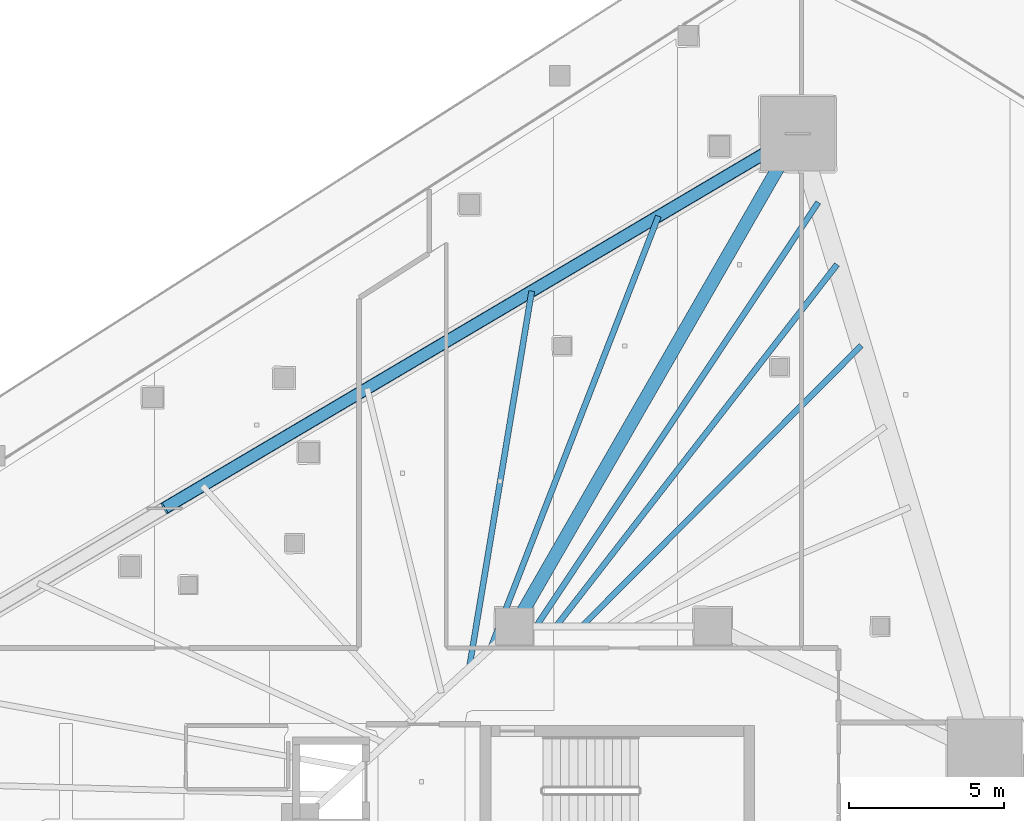
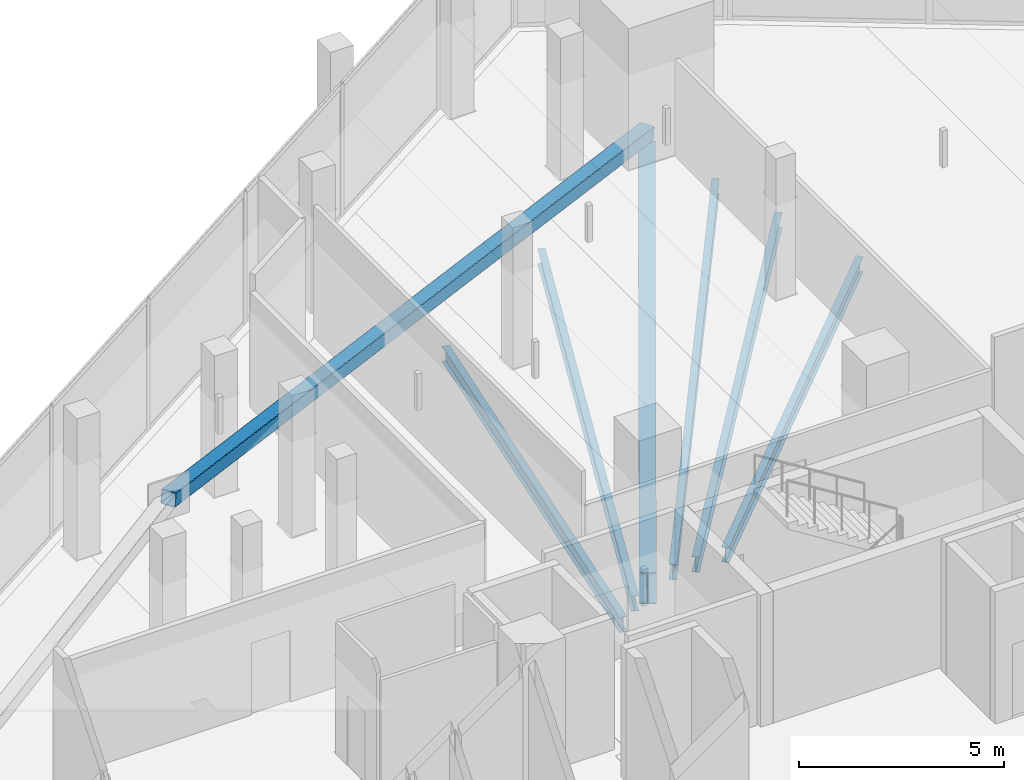
# One storey, part 25 of 52: 6 beams, 1 member.
"""IFC4 building model written with IfcOpenShell, lengths in metres."""

from ifc_helpers import new_model, si_unit, direction, frame, origin, origin_2d, place, context, subcontext, project, spatial, hollow_rectangle, i_section, extrude, material, material_profile, profile_set, type_object, element, save


model = new_model("IFC4")

# Units and contexts
model_context = context("Model", 3, precision=1e-05, world=origin(), true_north=direction((0.0, 1.0)))
body_context = subcontext(model_context, "Body", "Model", "MODEL_VIEW")
ifc_project = project(units=[si_unit("LENGTHUNIT", "METRE"), si_unit("AREAUNIT", "SQUARE_METRE"), si_unit("VOLUMEUNIT", "CUBIC_METRE"), si_unit("PLANEANGLEUNIT", "RADIAN"), si_unit("MASSUNIT", "GRAM", prefix="KILO")], contexts=[model_context])

# Site, building, storey
site_placement = place(None, origin())
site = spatial("IfcSite", under=ifc_project, at=site_placement, CompositionType="ELEMENT")
building_placement = place(site_placement, origin())
building = spatial("IfcBuilding", under=site, at=building_placement, Name="Qorvath Tower", CompositionType="ELEMENT")
storey_placement = place(building_placement, frame((0.0, 0.0, 61.800048828125)))
storey = spatial("IfcBuildingStorey", under=building, at=storey_placement, Name="L13", CompositionType="ELEMENT", Elevation=61.800048828125)

# Beams
ifc_material_1 = material(Name="Steel ASTM A992 Grade 50", Category="steel")
ifc_material_profile_1 = material_profile(ifc_material_1, i_section(OverallWidth=0.422119140625, OverallDepth=0.93310546875, WebThickness=0.021240234375, FlangeThickness=0.039794921875, FilletRadius=0.02392578125, at=origin_2d()), Name="W36x262")
ifc_profile_set_1 = profile_set([ifc_material_profile_1], Name="Steel ASTM A992 Grade 50")
beam_type_1 = type_object("IfcBeamType", Name="BM-FG1", PredefinedType="BEAM", material=ifc_profile_set_1)
beam_1_placement = place(storey_placement, frame((-23.60009765625, 11.449951171875, -0.74658203125), z_axis=(0.498645367714, 0.866806089767, 0.0), x_axis=(-0.866806089767, 0.498645367714, 0.0)))
element("IfcBeam", 1, at=beam_1_placement, inside=storey, type_object=beam_type_1, Name="Radial Floor Girder CC1-MC6 L13", PredefinedType="BEAM", context=body_context, shape_type="SweptSolid", body=[
    extrude(i_section(OverallWidth=0.422119140625, OverallDepth=0.93310546875, WebThickness=0.021240234375, FlangeThickness=0.039794921875, FilletRadius=0.02392578125, at=origin_2d()), origin(), (0.0, 0.0, 1.0), 18.321044921875),
])
ifc_material_2 = material(Name="Steel ASTM A992 Grade 50", Category="steel")
ifc_material_profile_2 = material_profile(ifc_material_2, i_section(OverallWidth=0.18994140625, OverallDepth=0.45703125, WebThickness=0.009033203125, FlangeThickness=0.014404296875, FilletRadius=0.011962890625, at=origin_2d()), Name="W18x50")
ifc_profile_set_2 = profile_set([ifc_material_profile_2], Name="Steel ASTM A992 Grade 50")
beam_type_2 = type_object("IfcBeamType", Name="BM-FJ2", PredefinedType="JOIST", material=ifc_profile_set_2)
beam_2_placement = place(storey_placement, frame((-21.424072265625, 11.449951171875, -0.508544921875), z_axis=(0.705107654599, 0.709100271771, 0.0), x_axis=(-0.709100271771, 0.705107654599, 0.0)))
element("IfcBeam", 2, at=beam_2_placement, inside=storey, type_object=beam_type_2, Name="Composite Floor Joist NE5 L13", PredefinedType="JOIST", context=body_context, shape_type="SweptSolid", body=[
    extrude(i_section(OverallWidth=0.18994140625, OverallDepth=0.45703125, WebThickness=0.009033203125, FlangeThickness=0.014404296875, FilletRadius=0.011962890625, at=origin_2d()), origin(), (0.0, 0.0, 1.0), 12.780029296875),
])
beam_3_placement = place(storey_placement, frame((-22.256103515625, 11.449951171875, -0.508544921875), z_axis=(0.613206963859, 0.789922286984, 0.0), x_axis=(-0.789922286984, 0.613206963859, 0.0)))
element("IfcBeam", 3, at=beam_3_placement, inside=storey, type_object=beam_type_2, Name="Composite Floor Joist NE6 L13", PredefinedType="JOIST", context=body_context, shape_type="SweptSolid", body=[
    extrude(i_section(OverallWidth=0.18994140625, OverallDepth=0.45703125, WebThickness=0.009033203125, FlangeThickness=0.014404296875, FilletRadius=0.011962890625, at=origin_2d()), origin(), (0.0, 0.0, 1.0), 14.77294921875),
])
beam_4_placement = place(storey_placement, frame((-22.89599609375, 11.449951171875, -0.508544921875), z_axis=(0.553811384989, 0.83264214994, 0.0), x_axis=(-0.83264214994, 0.553811384989, 0.0)))
element("IfcBeam", 4, at=beam_4_placement, inside=storey, type_object=beam_type_2, Name="Composite Floor Joist NE7 L13", PredefinedType="JOIST", context=body_context, shape_type="SweptSolid", body=[
    extrude(i_section(OverallWidth=0.18994140625, OverallDepth=0.45703125, WebThickness=0.009033203125, FlangeThickness=0.014404296875, FilletRadius=0.011962890625, at=origin_2d()), origin(), (0.0, 0.0, 1.0), 16.42333984375),
])
beam_5_placement = place(storey_placement, frame((-25.049072265625, 10.126953125, -0.508544921875), z_axis=(0.163639384475, 0.98652022374, 0.0), x_axis=(-0.98652022374, 0.163639384475, 0.0)))
element("IfcBeam", 5, at=beam_5_placement, inside=storey, type_object=beam_type_2, Name="Composite Floor Joist NW6 L13", PredefinedType="JOIST", context=body_context, shape_type="SweptSolid", body=[
    extrude(i_section(OverallWidth=0.18994140625, OverallDepth=0.45703125, WebThickness=0.009033203125, FlangeThickness=0.014404296875, FilletRadius=0.011962890625, at=origin_2d()), origin(), (0.0, 0.0, 1.0), 12.301025390625),
])
beam_6_placement = place(storey_placement, frame((-24.35888671875, 10.757080078125, -0.508544921875), z_axis=(0.361964096586, 0.93219203643, 0.0), x_axis=(-0.93219203643, 0.361964096586, 0.0)))
element("IfcBeam", 6, at=beam_6_placement, inside=storey, type_object=beam_type_2, Name="Composite Floor Joist NW7 L13", PredefinedType="JOIST", context=body_context, shape_type="SweptSolid", body=[
    extrude(i_section(OverallWidth=0.18994140625, OverallDepth=0.45703125, WebThickness=0.009033203125, FlangeThickness=0.014404296875, FilletRadius=0.011962890625, at=origin_2d()), origin(), (0.0, 0.0, 1.0), 14.93115234375),
])

# Member
ifc_material_3 = material(Name="Steel ASTM A500 Grade C", Category="steel")
ifc_material_profile_3 = material_profile(ifc_material_3, hollow_rectangle(XDim=0.406494140625, YDim=0.406494140625, WallThickness=0.015869140625, InnerFilletRadius=0.015869140625, OuterFilletRadius=0.03173828125, at=origin_2d()), Name="HSS 406x406x16")
ifc_profile_set_3 = profile_set([ifc_material_profile_3], Name="Steel ASTM A500 Grade C")
member_type = type_object("IfcMemberType", Name="MEM-MB1", PredefinedType="BRACE", material=ifc_profile_set_3)
member_placement = place(storey_placement, frame((-14.46435546875, 27.330810546875, 0.0), z_axis=(-0.85118408601, -0.503306106147, 0.148891286646), x_axis=(0.508979409022, -0.860778694666, 0.0)))
element("IfcMember", 7, at=member_placement, inside=storey, type_object=member_type, Name="Perimeter Chevron Brace L13-1A", PredefinedType="BRACE", context=body_context, shape_type="SweptSolid", body=[
    extrude(hollow_rectangle(XDim=0.406494140625, YDim=0.406494140625, WallThickness=0.015869140625, InnerFilletRadius=0.015869140625, OuterFilletRadius=0.03173828125, at=origin_2d()), origin(), (0.0, 0.0, 1.0), 23.977783203125),
])

save(model, "model.ifc")
